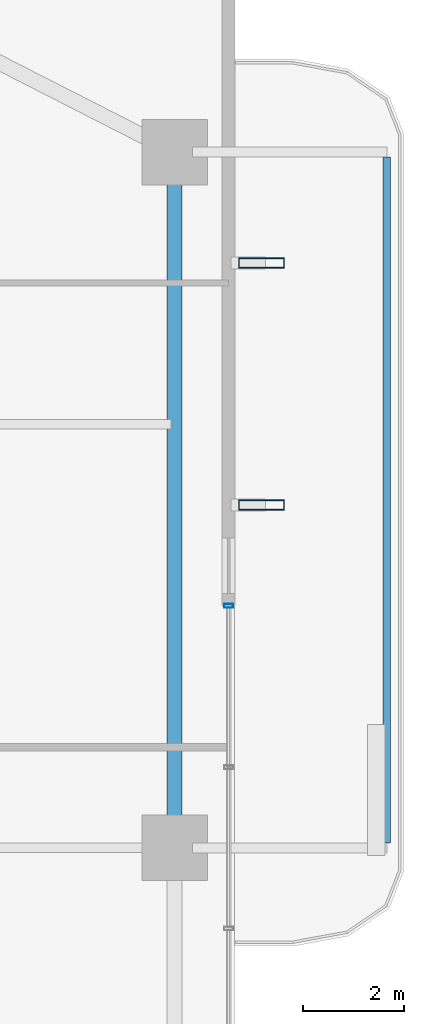
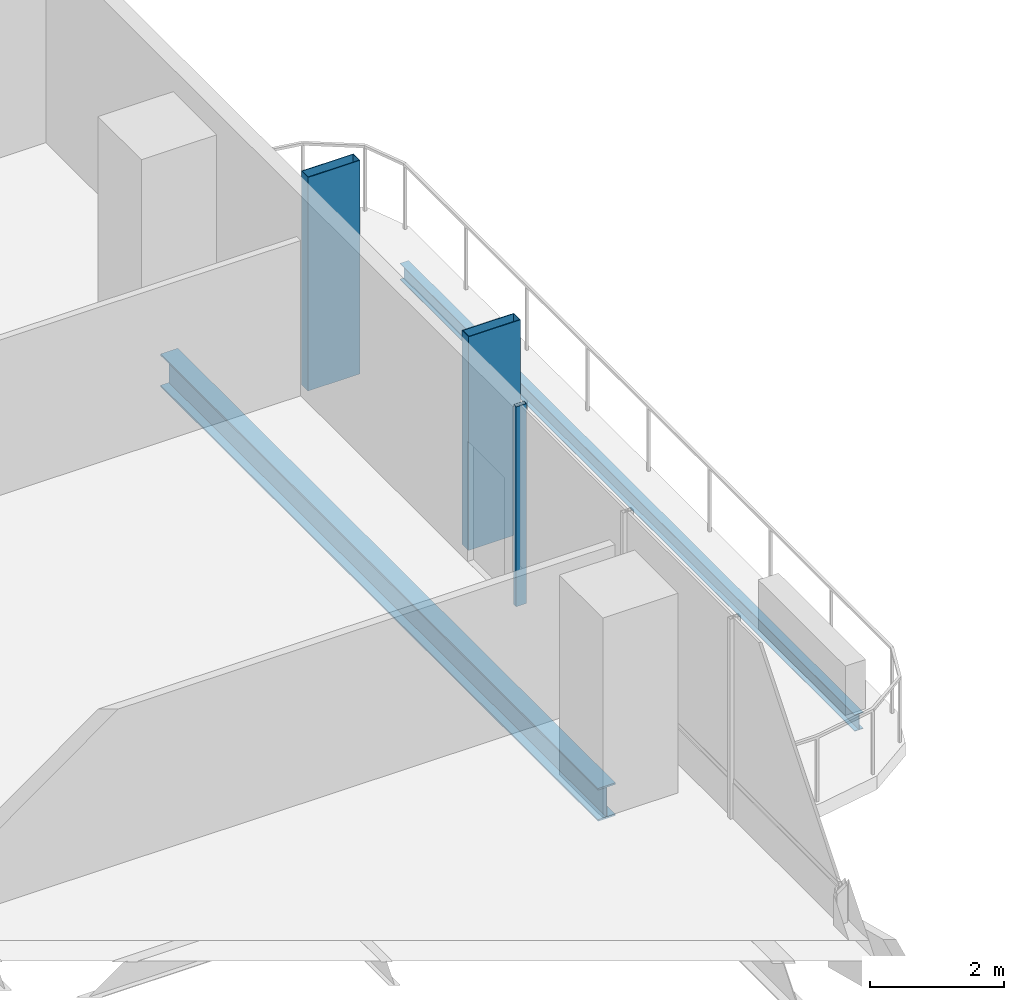
# One storey, part 13 of 24: 3 members, 2 beams, 1 element without a shape of its own.
"""IFC4 building model written with IfcOpenShell, lengths in metres."""

import ifcopenshell
import ifcopenshell.guid

model = None  # the IFC model being written
_history = None  # IfcOwnerHistory: only IFC2X3 demands one
_inside = {}  # id of a spatial element -> (the spatial element, [elements in it])
_under = {}  # id of a project, library or spatial element -> (it, [spatial elements below it])
_declared = {}  # id of a project -> (the project, [libraries it declares])
_typed = {}  # id of a type object -> (the type object, [elements of that type])
_made_of = {}  # id of a material, layer set ... -> (it, [elements and type objects made of it])


def new_model(schema):
    """Start an empty IFC model of exactly this schema.

    Asked for "IFC4X3", IfcOpenShell would pick the latest addendum, in which some entities
    have other attributes; the version numbers below select the first issue.
    IFC2X3 requires an IfcOwnerHistory on every rooted entity: one is made here for all.
    """
    global model, _history
    if schema == "IFC4X3":
        model = ifcopenshell.file(schema_version=(4, 3, 0, 0))
    else:
        model = ifcopenshell.file(schema=schema)
    _inside.clear()
    _under.clear()
    _declared.clear()
    _typed.clear()
    _made_of.clear()
    _history = None
    if model.schema == "IFC2X3":
        org = make("IfcOrganization", Name="unknown")
        user = make(
            "IfcPersonAndOrganization",
            ThePerson=make("IfcPerson", FamilyName="unknown"),
            TheOrganization=org,
        )
        app = make(
            "IfcApplication",
            ApplicationDeveloper=org,
            Version="unknown",
            ApplicationFullName="unknown",
            ApplicationIdentifier="unknown",
        )
        _history = make(
            "IfcOwnerHistory",
            OwningUser=user,
            OwningApplication=app,
            ChangeAction="ADDED",
            CreationDate=0,
        )
    return model


def make(cls, **values):
    """One entity of the class cls with the attributes given. An attribute that is None is left unset."""
    return model.create_entity(
        cls, **{name: value for name, value in values.items() if value is not None}
    )


def rooted(cls, **values):
    """An entity with a GlobalId (a new one), such as an element, a storey or a relation."""
    return make(cls, GlobalId=ifcopenshell.guid.new(), OwnerHistory=_history, **values)


def si_unit(unit_type, name, prefix=None):
    """IfcSIUnit, for example si_unit("LENGTHUNIT", "METRE", prefix="MILLI")."""
    return make("IfcSIUnit", UnitType=unit_type, Prefix=prefix, Name=name)


def assignment(units):
    """IfcUnitAssignment: the units of a project."""
    return None if units is None else make("IfcUnitAssignment", Units=units)


def point(xyz):
    """IfcCartesianPoint."""
    return None if xyz is None else make("IfcCartesianPoint", Coordinates=xyz)


def direction(xyz):
    """IfcDirection."""
    return None if xyz is None else make("IfcDirection", DirectionRatios=xyz)


def frame(location, z_axis=None, x_axis=None):
    """IfcAxis2Placement3D, a coordinate frame: its origin and axes. An axis left out is left unset."""
    return make(
        "IfcAxis2Placement3D",
        Location=point(location),
        Axis=direction(z_axis),
        RefDirection=direction(x_axis),
    )


def frame_2d(location, x_axis=None):
    """IfcAxis2Placement2D, a coordinate frame in the plane: its origin and x axis."""
    return make(
        "IfcAxis2Placement2D", Location=point(location), RefDirection=direction(x_axis)
    )


def origin():
    """The frame at (0, 0, 0) with its axes left unset."""
    return frame((0.0, 0.0, 0.0))


def origin_2d():
    """The frame at (0, 0) in the plane with its x axis left unset."""
    return frame_2d((0.0, 0.0))


def place(relative_to, where):
    """IfcLocalPlacement: puts the frame where relative to a parent placement (None: the world)."""
    return make(
        "IfcLocalPlacement", PlacementRelTo=relative_to, RelativePlacement=where
    )


def context(
    kind, dimensions, precision=None, world=None, true_north=None, identifier=None
):
    """IfcGeometricRepresentationContext, for example the 3D "Model" context."""
    return make(
        "IfcGeometricRepresentationContext",
        ContextIdentifier=identifier,
        ContextType=kind,
        CoordinateSpaceDimension=dimensions,
        Precision=precision,
        WorldCoordinateSystem=world,
        TrueNorth=true_north,
    )


def subcontext(parent, identifier, kind, view, scale=None):
    """IfcGeometricRepresentationSubContext, for example "Body" below "Model"."""
    return make(
        "IfcGeometricRepresentationSubContext",
        ContextIdentifier=identifier,
        ContextType=kind,
        ParentContext=parent,
        TargetScale=scale,
        TargetView=view,
    )


def project(units=None, contexts=None):
    """IfcProject with its units and contexts."""
    return rooted(
        "IfcProject",
        Name="project",
        RepresentationContexts=contexts,
        UnitsInContext=assignment(units),
    )


def spatial(cls, under=None, at=None, **own):
    """A site, building, storey or space (cls), placed at a placement, below another one or the project."""
    s = rooted(cls, ObjectPlacement=at, **own)
    if under is not None:
        _under.setdefault(under.id(), (under, []))[1].append(s)
    return s


def profile(cls, at=None, kind="AREA", **sizes):
    """A parametric profile (cls). Its sizes go by their IFC names, for example OverallWidth=200.0."""
    return make(cls, ProfileType=kind, Position=at, **sizes)


def hollow_rectangle(**sizes):
    """IfcRectangleHollowProfileDef."""
    return profile("IfcRectangleHollowProfileDef", **sizes)


def i_section(**sizes):
    """IfcIShapeProfileDef."""
    return profile("IfcIShapeProfileDef", **sizes)


def extrude(swept, where, along, depth):
    """IfcExtrudedAreaSolid: the profile swept, set in the frame where, extruded along a direction by depth."""
    return make(
        "IfcExtrudedAreaSolid",
        SweptArea=swept,
        Position=where,
        ExtrudedDirection=direction(along),
        Depth=depth,
    )


def shape(context_of_items, identifier, shape_type, items):
    """IfcShapeRepresentation: the items that make up one representation, for example the "Body"."""
    return make(
        "IfcShapeRepresentation",
        ContextOfItems=context_of_items,
        RepresentationIdentifier=identifier,
        RepresentationType=shape_type,
        Items=items,
    )


def material(Name=None, Category=None):
    """IfcMaterial."""
    return make("IfcMaterial", Name=Name, Category=Category)


def layer(
    of_material, thickness, ventilated=None, Name=None, Category=None, Priority=None
):
    """IfcMaterialLayer: one layer of a wall or slab, of a material (None: an air gap)."""
    return make(
        "IfcMaterialLayer",
        Material=of_material,
        LayerThickness=thickness,
        IsVentilated=ventilated,
        Name=Name,
        Category=Category,
        Priority=Priority,
    )


def layer_set(layers, Name=None):
    """IfcMaterialLayerSet."""
    return make("IfcMaterialLayerSet", MaterialLayers=layers, LayerSetName=Name)


def material_profile(
    of_material, cross_section, Name=None, Category=None, Priority=None
):
    """IfcMaterialProfile: a cross section and its material."""
    return make(
        "IfcMaterialProfile",
        Name=Name,
        Material=of_material,
        Profile=cross_section,
        Priority=Priority,
        Category=Category,
    )


def profile_set(profiles, Name=None, composite=None):
    """IfcMaterialProfileSet."""
    return make(
        "IfcMaterialProfileSet",
        Name=Name,
        MaterialProfiles=profiles,
        CompositeProfile=composite,
    )


def made_of(thing, what):
    """Note that an element or type object is made of a material, layer set ...; save() writes the relation."""
    if what is not None:
        _made_of.setdefault(what.id(), (what, []))[1].append(thing)
    return thing


def type_object(cls, material=None, **own):
    """A type object (cls), such as IfcWallType, which elements share."""
    return made_of(rooted(cls, **own), material)


def element(
    cls,
    number,
    at=None,
    inside=None,
    cuts=None,
    type_object=None,
    material=None,
    context=None,
    identifier="Body",
    shape_type=None,
    held_by="IfcProductDefinitionShape",
    body=None,
    shapes=None,
    **own,
):
    """One element of the class cls, such as IfcWall. Its Tag is "e" and its number.

    at: its placement. inside: the storey or other place that contains it. cuts: it is an
    opening in that element (IfcRelVoidsElement). A single representation is given by context,
    identifier, shape_type and body (its items); several are given by shapes. held_by: the class
    of the entity that holds the representations. save() writes the other relations.
    """
    e = rooted(cls, Tag="e%d" % number, ObjectPlacement=at, **own)
    if body is not None:
        shapes = [shape(context, identifier, shape_type, body)]
    if shapes is not None:
        e.Representation = make(held_by, Representations=shapes)
    if inside is not None:
        _inside.setdefault(inside.id(), (inside, []))[1].append(e)
    if cuts is not None:
        rooted(
            "IfcRelVoidsElement", RelatingBuildingElement=cuts, RelatedOpeningElement=e
        )
    if type_object is not None:
        _typed.setdefault(type_object.id(), (type_object, []))[1].append(e)
    return made_of(e, material)


def aggregate(whole, parts):
    """IfcRelAggregates: a whole, such as a stair, and the parts it consists of."""
    return rooted("IfcRelAggregates", RelatingObject=whole, RelatedObjects=parts)


def save(model, path):
    """Write the relations noted so far, then the file.

    IfcRelAggregates (storeys below a building ...), IfcRelContainedInSpatialStructure (elements
    in a storey), IfcRelDefinesByType, IfcRelAssociatesMaterial and IfcRelDeclares: one each for
    every whole, place, type object, material and project.
    """
    for whole, parts in _under.values():
        aggregate(whole, parts)
    for where, things in _inside.values():
        rooted(
            "IfcRelContainedInSpatialStructure",
            RelatedElements=things,
            RelatingStructure=where,
        )
    for kind, things in _typed.values():
        rooted("IfcRelDefinesByType", RelatedObjects=things, RelatingType=kind)
    for what, things in _made_of.values():
        rooted("IfcRelAssociatesMaterial", RelatedObjects=things, RelatingMaterial=what)
    for by, libraries in _declared.values():
        rooted("IfcRelDeclares", RelatingContext=by, RelatedDefinitions=libraries)
    model.write(path)


model = new_model("IFC4")

# Units and contexts
model_context = context("Model", 3, precision=1e-05, world=origin(), true_north=direction((0.0, 1.0)))
body_context = subcontext(model_context, "Body", "Model", "MODEL_VIEW")
ifc_project = project(units=[si_unit("LENGTHUNIT", "METRE"), si_unit("AREAUNIT", "SQUARE_METRE"), si_unit("VOLUMEUNIT", "CUBIC_METRE"), si_unit("PLANEANGLEUNIT", "RADIAN"), si_unit("MASSUNIT", "GRAM", prefix="KILO")], contexts=[model_context])

# Site, building, storey
site_placement = place(None, origin())
site = spatial("IfcSite", under=ifc_project, at=site_placement, CompositionType="ELEMENT")
building_placement = place(site_placement, origin())
building = spatial("IfcBuilding", under=site, at=building_placement, Name="Belovzor Exchange Tower", CompositionType="ELEMENT")
storey_placement = place(building_placement, frame((0.0, 0.0, 129.0)))
storey = spatial("IfcBuildingStorey", under=building, at=storey_placement, Name="L31", CompositionType="ELEMENT", Elevation=129.0)

# Beam
ifc_material_1 = material(Name="Steel S355", Category="steel")
ifc_material_profile_1 = material_profile(ifc_material_1, i_section(OverallWidth=0.14990234375, OverallDepth=0.300048828125, WebThickness=0.007080078125, FlangeThickness=0.0107421875, at=origin_2d()))
ifc_profile_set_1 = profile_set([ifc_material_profile_1], Name="Steel S355")
beam_type_1 = type_object("IfcBeamType", Name="Planted Balcony Fascia Edge Beam IPE 300", PredefinedType="BEAM", material=ifc_profile_set_1)
beam_1_placement = place(storey_placement, frame((57.907958984375, 28.89990234375, -0.39990234375), z_axis=(0.0, 1.0, 0.0), x_axis=(-1.0, 0.0, 0.0)))
element("IfcBeam", 1, at=beam_1_placement, inside=storey, type_object=beam_type_1, Name="BC-300 Planted Balcony Fascia Edge Beam IPE 300", PredefinedType="BEAM", context=body_context, shape_type="SweptSolid", body=[
    extrude(i_section(OverallWidth=0.14990234375, OverallDepth=0.300048828125, WebThickness=0.007080078125, FlangeThickness=0.0107421875, at=origin_2d()), origin(), (0.0, 0.0, 1.0), 13.60009765625),
])

# Members
ifc_material_2 = material(Name="Extruded Architectural Terracotta on Steel S355 Carrier", Category="masonry")
ifc_material_profile_2 = material_profile(ifc_material_2, hollow_rectangle(XDim=0.199951171875, YDim=0.89990234375, WallThickness=0.011962890625, at=origin_2d()))
ifc_profile_set_2 = profile_set([ifc_material_profile_2], Name="Extruded Architectural Terracotta on Steel S355 Carrier")
member_type_1 = type_object("IfcMemberType", Name="Sweeping Terracotta Baguette Fin Assembly 1250", PredefinedType="USERDEFINED", material=ifc_profile_set_2)
for number, where, z_axis, x_axis, name in (
    (2, (55.425048828125, 35.60009765625, -0.25), (0.0, 0.0, 1.0), (0.0, 1.0, 0.0), "FIN-TC125 Terracotta Facade Fin L31 E3"),
    (3, (55.425048828125, 40.39990234375, -0.25), (0.0, 0.0, 1.0), (0.0, 1.0, 0.0), "FIN-TC125 Terracotta Facade Fin L31 E4"),
):
    element("IfcMember", number, at=place(storey_placement, frame(where, z_axis=z_axis, x_axis=x_axis)), inside=storey, type_object=member_type_1, Name=name, ObjectType="FIN", PredefinedType="USERDEFINED", context=body_context, shape_type="SweptSolid", body=[
        extrude(hollow_rectangle(XDim=0.199951171875, YDim=0.89990234375, WallThickness=0.011962890625, at=origin_2d()), origin(), (0.0, 0.0, 1.0), 3.89990234375),
    ])

# Curtain wall, member
ifc_material_3 = material(Name="Anodised Aluminium Framing", Category="aluminium")
ifc_layer = layer(ifc_material_3, 0.179931640625)
ifc_layer_set = layer_set([ifc_layer], Name="Anodised Aluminium Framing")
curtain_wall_type = type_object("IfcCurtainWallType", Name="Recessed Loggia Low-Iron Triple-Glazed Curtain Wall", PredefinedType="NOTDEFINED", material=ifc_layer_set)
curtain_wall_placement = place(storey_placement, origin())
curtain_wall = element("IfcCurtainWall", 4, at=curtain_wall_placement, inside=storey, type_object=curtain_wall_type, Name="CW3 Recessed Loggia Low-Iron Triple-Glazed Curtain Wall L31", PredefinedType="NOTDEFINED")
ifc_material_4 = material(Name="Steel S355", Category="steel")
ifc_material_profile_3 = material_profile(ifc_material_4, hollow_rectangle(XDim=0.074951171875, YDim=0.179931640625, WallThickness=0.0048828125, at=origin_2d()))
ifc_profile_set_3 = profile_set([ifc_material_profile_3], Name="Steel S355")
member_type_2 = type_object("IfcMemberType", Name="Thermally Broken Curtain Wall Mullion 180x75", PredefinedType="MULLION", material=ifc_profile_set_3)
member_placement = place(storey_placement, frame((54.77001953125, 33.60009765625, 0.0), z_axis=(0.0, 0.0, 1.0), x_axis=(0.0, -1.0, 0.0)))
member = element("IfcMember", 5, at=member_placement, type_object=member_type_2, Name="CW-M180 Curtain Wall Mullion 1", PredefinedType="MULLION", context=body_context, shape_type="SweptSolid", body=[
    extrude(hollow_rectangle(XDim=0.074951171875, YDim=0.179931640625, WallThickness=0.0048828125, at=origin_2d()), origin(), (0.0, 0.0, 1.0), 3.64990234375),
])
aggregate(curtain_wall, [member])

# Beam
ifc_material_5 = material(Name="Steel S355", Category="steel")
ifc_material_profile_4 = material_profile(ifc_material_5, i_section(OverallWidth=0.300048828125, OverallDepth=0.60009765625, WebThickness=0.015380859375, FlangeThickness=0.030029296875, at=origin_2d()))
ifc_profile_set_4 = profile_set([ifc_material_profile_4], Name="Steel S355")
beam_type_2 = type_object("IfcBeamType", Name="Zone 2 Primary Perimeter Girder HEB 600", PredefinedType="BEAM", material=ifc_profile_set_4)
beam_2_placement = place(storey_placement, frame((53.699951171875, 29.157958984375, -0.550048828125), z_axis=(0.0, 1.0, 0.0), x_axis=(-1.0, 0.0, 0.0)))
element("IfcBeam", 6, at=beam_2_placement, inside=storey, type_object=beam_type_2, Name="FG-Z2 Zone 2 Primary Perimeter Girder HEB 600", PredefinedType="BEAM", context=body_context, shape_type="SweptSolid", body=[
    extrude(i_section(OverallWidth=0.300048828125, OverallDepth=0.60009765625, WebThickness=0.015380859375, FlangeThickness=0.030029296875, at=origin_2d()), origin(), (0.0, 0.0, 1.0), 13.083984375),
])

save(model, "model.ifc")
